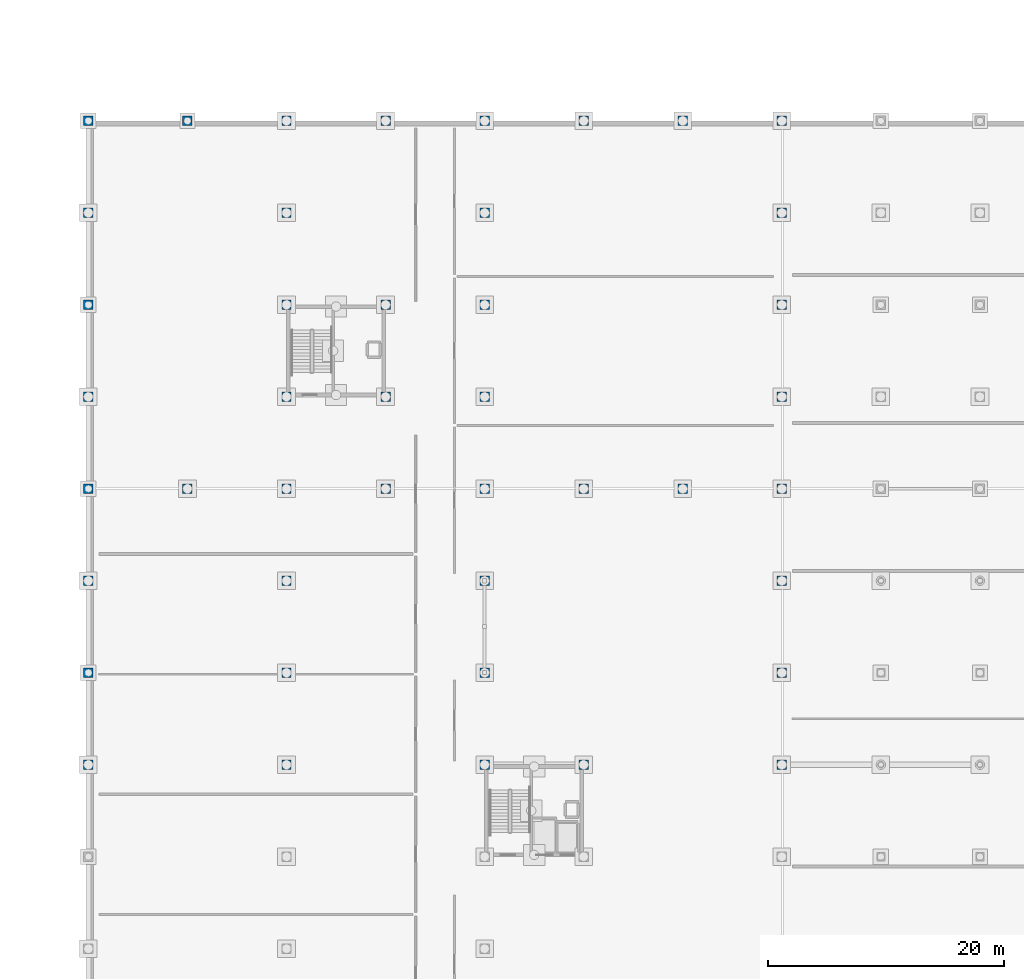
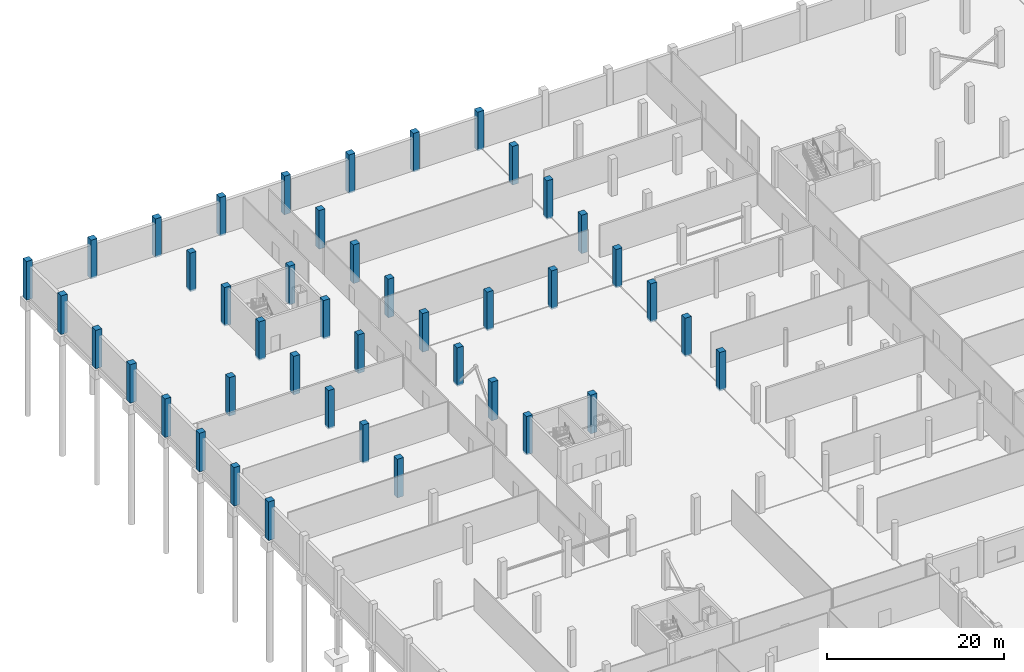
# One storey, part 13 of 48: 43 columns.
"""IFC4 building model written with IfcOpenShell, lengths in metres."""

from ifc_helpers import new_model, si_unit, direction, frame, origin, origin_2d, place, context, subcontext, project, spatial, rectangle, extrude, material, material_profile, profile_set, type_object, element, save


model = new_model("IFC4")

# Units and contexts
model_context = context("Model", 3, precision=1e-05, world=origin(), true_north=direction((0.0, 1.0)))
body_context = subcontext(model_context, "Body", "Model", "MODEL_VIEW")
ifc_project = project(units=[si_unit("LENGTHUNIT", "METRE"), si_unit("AREAUNIT", "SQUARE_METRE"), si_unit("VOLUMEUNIT", "CUBIC_METRE"), si_unit("PLANEANGLEUNIT", "RADIAN"), si_unit("MASSUNIT", "GRAM", prefix="KILO")], contexts=[model_context])

# Site, building, storey
site_placement = place(None, origin())
site = spatial("IfcSite", under=ifc_project, at=site_placement, CompositionType="ELEMENT")
building_placement = place(site_placement, origin())
building = spatial("IfcBuilding", under=site, at=building_placement, Name="Nabrawat Pavilion Hospital", CompositionType="ELEMENT")
storey_placement = place(building_placement, frame((0.0, 0.0, -5.10009765625)))
storey = spatial("IfcBuildingStorey", under=building, at=storey_placement, Name="B1", CompositionType="ELEMENT", Elevation=-5.10009765625)

# Columns
ifc_material = material(Name="Concrete C40/50", Category="concrete")
ifc_material_profile = material_profile(ifc_material, rectangle(XDim=0.800048828125, YDim=0.800048828125, at=origin_2d()), Name="RC 800x800")
ifc_profile_set = profile_set([ifc_material_profile], Name="Concrete C40/50")
column_type = type_object("IfcColumnType", Name="Podium Primary RC Column 800x800", PredefinedType="COLUMN", material=ifc_profile_set)
for number, where, z_axis, x_axis, name in (
    (1, (0.0, 62.39990234375, -0.219970703125), (0.0, 0.0, 1.0), (1.0, 0.0, 0.0), "B1 Structural Column G-1-J"),
    (2, (0.0, 70.199951171875, -0.219970703125), (0.0, 0.0, 1.0), (1.0, 0.0, 0.0), "B1 Structural Column G-1-K"),
    (3, (0.0, 78.0, -0.219970703125), (0.0, 0.0, 1.0), (1.0, 0.0, 0.0), "B1 Structural Column G-1-L"),
    (4, (0.0, 85.800048828125, -0.219970703125), (0.0, 0.0, 1.0), (1.0, 0.0, 0.0), "B1 Structural Column G-1-M1"),
    (5, (0.0, 93.60009765625, -0.219970703125), (0.0, 0.0, 1.0), (1.0, 0.0, 0.0), "B1 Structural Column G-1-N"),
    (6, (0.0, 101.39990234375, -0.219970703125), (0.0, 0.0, 1.0), (1.0, 0.0, 0.0), "B1 Structural Column G-1-P"),
    (7, (0.0, 109.199951171875, -0.219970703125), (0.0, 0.0, 1.0), (1.0, 0.0, 0.0), "B1 Structural Column G-1-Q"),
    (8, (0.0, 117.0, -0.219970703125), (0.0, 0.0, 1.0), (1.0, 0.0, 0.0), "B1 Structural Column G-1-R"),
    (9, (8.39990234375, 85.800048828125, -0.219970703125), (0.0, 0.0, 1.0), (1.0, 0.0, 0.0), "B1 Structural Column G-2-M1"),
    (10, (8.39990234375, 117.0, -0.219970703125), (0.0, 0.0, 1.0), (1.0, 0.0, 0.0), "B1 Structural Column G-2-R"),
    (11, (16.800048828125, 62.39990234375, -0.219970703125), (0.0, 0.0, 1.0), (1.0, 0.0, 0.0), "B1 Structural Column G-3-J"),
    (12, (16.800048828125, 70.199951171875, -0.219970703125), (0.0, 0.0, 1.0), (1.0, 0.0, 0.0), "B1 Structural Column G-3-K"),
    (13, (16.800048828125, 78.0, -0.219970703125), (0.0, 0.0, 1.0), (1.0, 0.0, 0.0), "B1 Structural Column G-3-L"),
    (14, (16.800048828125, 85.800048828125, -0.219970703125), (0.0, 0.0, 1.0), (1.0, 0.0, 0.0), "B1 Structural Column G-3-M1"),
    (15, (16.800048828125, 93.60009765625, -0.219970703125), (0.0, 0.0, 1.0), (1.0, 0.0, 0.0), "B1 Structural Column G-3-N"),
    (16, (16.800048828125, 101.39990234375, -0.219970703125), (0.0, 0.0, 1.0), (1.0, 0.0, 0.0), "B1 Structural Column G-3-P"),
    (17, (16.800048828125, 109.199951171875, -0.219970703125), (0.0, 0.0, 1.0), (1.0, 0.0, 0.0), "B1 Structural Column G-3-Q"),
    (18, (16.800048828125, 117.0, -0.219970703125), (0.0, 0.0, 1.0), (1.0, 0.0, 0.0), "B1 Structural Column G-3-R"),
    (19, (25.199951171875, 85.800048828125, -0.219970703125), (0.0, 0.0, 1.0), (1.0, 0.0, 0.0), "B1 Structural Column G-4-M1"),
    (20, (25.199951171875, 93.60009765625, -0.219970703125), (0.0, 0.0, 1.0), (1.0, 0.0, 0.0), "B1 Structural Column G-4-N"),
    (21, (25.199951171875, 101.39990234375, -0.219970703125), (0.0, 0.0, 1.0), (1.0, 0.0, 0.0), "B1 Structural Column G-4-P"),
    (22, (25.199951171875, 117.0, -0.219970703125), (0.0, 0.0, 1.0), (1.0, 0.0, 0.0), "B1 Structural Column G-4-R"),
    (23, (33.60009765625, 62.39990234375, -0.219970703125), (0.0, 0.0, 1.0), (1.0, 0.0, 0.0), "B1 Structural Column G-5-J"),
    (24, (33.60009765625, 70.199951171875, -0.219970703125), (0.0, 0.0, 1.0), (1.0, 0.0, 0.0), "B1 Structural Column G-5-K"),
    (25, (33.60009765625, 78.0, -0.219970703125), (0.0, 0.0, 1.0), (1.0, 0.0, 0.0), "B1 Structural Column G-5-L"),
    (26, (33.60009765625, 85.800048828125, -0.219970703125), (0.0, 0.0, 1.0), (1.0, 0.0, 0.0), "B1 Structural Column G-5-M1"),
    (27, (33.60009765625, 93.60009765625, -0.219970703125), (0.0, 0.0, 1.0), (1.0, 0.0, 0.0), "B1 Structural Column G-5-N"),
    (28, (33.60009765625, 101.39990234375, -0.219970703125), (0.0, 0.0, 1.0), (1.0, 0.0, 0.0), "B1 Structural Column G-5-P"),
    (29, (33.60009765625, 109.199951171875, -0.219970703125), (0.0, 0.0, 1.0), (1.0, 0.0, 0.0), "B1 Structural Column G-5-Q"),
    (30, (33.60009765625, 117.0, -0.219970703125), (0.0, 0.0, 1.0), (1.0, 0.0, 0.0), "B1 Structural Column G-5-R"),
    (31, (42.0, 62.39990234375, -0.219970703125), (0.0, 0.0, 1.0), (1.0, 0.0, 0.0), "B1 Structural Column G-6-J"),
    (32, (42.0, 85.800048828125, -0.219970703125), (0.0, 0.0, 1.0), (1.0, 0.0, 0.0), "B1 Structural Column G-6-M1"),
    (33, (42.0, 117.0, -0.219970703125), (0.0, 0.0, 1.0), (1.0, 0.0, 0.0), "B1 Structural Column G-6-R"),
    (34, (50.39990234375, 85.800048828125, -0.219970703125), (0.0, 0.0, 1.0), (1.0, 0.0, 0.0), "B1 Structural Column G-7-M1"),
    (35, (50.39990234375, 117.0, -0.219970703125), (0.0, 0.0, 1.0), (1.0, 0.0, 0.0), "B1 Structural Column G-7-R"),
    (36, (58.800048828125, 62.39990234375, -0.219970703125), (0.0, 0.0, 1.0), (1.0, 0.0, 0.0), "B1 Structural Column G-8A-J"),
    (37, (58.800048828125, 70.199951171875, -0.219970703125), (0.0, 0.0, 1.0), (1.0, 0.0, 0.0), "B1 Structural Column G-8A-K"),
    (38, (58.800048828125, 78.0, -0.219970703125), (0.0, 0.0, 1.0), (1.0, 0.0, 0.0), "B1 Structural Column G-8A-L"),
    (39, (58.800048828125, 85.800048828125, -0.219970703125), (0.0, 0.0, 1.0), (1.0, 0.0, 0.0), "B1 Structural Column G-8A-M1"),
    (40, (58.800048828125, 93.60009765625, -0.219970703125), (0.0, 0.0, 1.0), (1.0, 0.0, 0.0), "B1 Structural Column G-8A-N"),
    (41, (58.800048828125, 101.39990234375, -0.219970703125), (0.0, 0.0, 1.0), (1.0, 0.0, 0.0), "B1 Structural Column G-8A-P"),
    (42, (58.800048828125, 109.199951171875, -0.219970703125), (0.0, 0.0, 1.0), (1.0, 0.0, 0.0), "B1 Structural Column G-8A-Q"),
    (43, (58.800048828125, 117.0, -0.219970703125), (0.0, 0.0, 1.0), (1.0, 0.0, 0.0), "B1 Structural Column G-8A-R"),
):
    element("IfcColumn", number, at=place(storey_placement, frame(where, z_axis=z_axis, x_axis=x_axis)), inside=storey, type_object=column_type, Name=name, PredefinedType="COLUMN", context=body_context, shape_type="SweptSolid", body=[
        extrude(rectangle(XDim=0.800048828125, YDim=0.800048828125, at=origin_2d()), origin(), (0.0, 0.0, 1.0), 5.320068359375),
    ])

save(model, "model.ifc")
